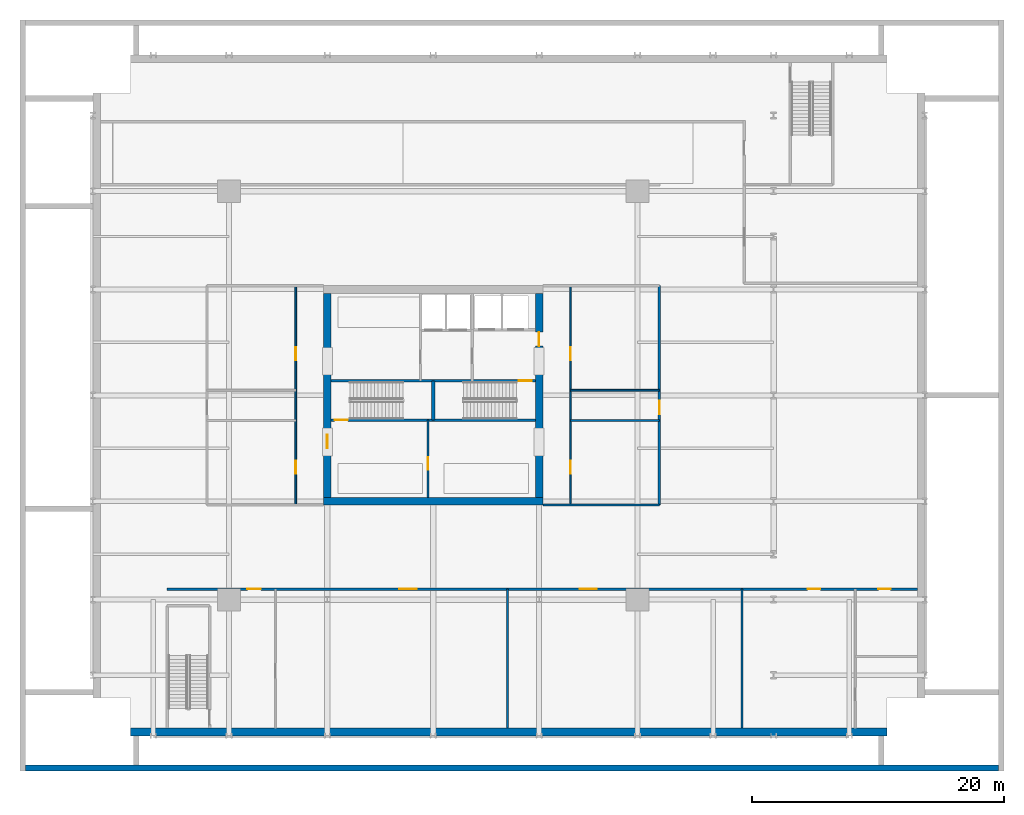
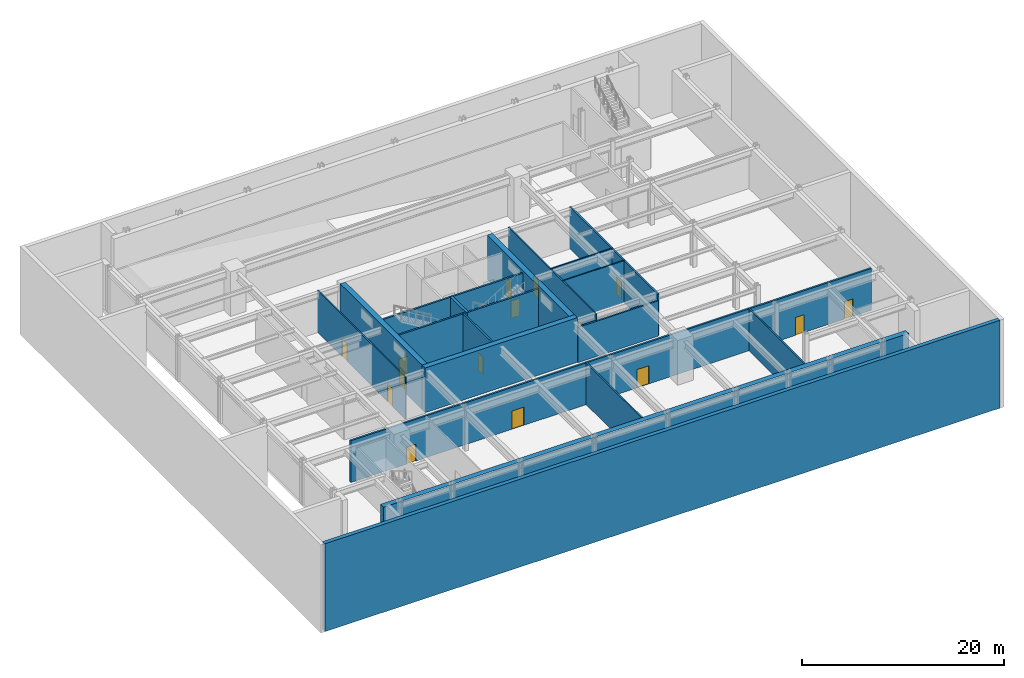
# One storey, part 3 of 9: 20 walls, 15 doors, 15 openings.
"""IFC4 building model written with IfcOpenShell, lengths in metres."""

from ifc_helpers import new_model, si_unit, direction, frame, frame_2d, origin, place, context, subcontext, project, spatial, rectangle, extrude, material, layer, layer_set, type_object, element, fill, save


model = new_model("IFC4")

# Units and contexts
model_context = context("Model", 3, precision=1e-05, world=origin(), true_north=direction((0.0, 1.0)))
body_context = subcontext(model_context, "Body", "Model", "MODEL_VIEW")
ifc_project = project(units=[si_unit("LENGTHUNIT", "METRE"), si_unit("AREAUNIT", "SQUARE_METRE"), si_unit("VOLUMEUNIT", "CUBIC_METRE"), si_unit("PLANEANGLEUNIT", "RADIAN"), si_unit("MASSUNIT", "GRAM", prefix="KILO")], contexts=[model_context])

# Site, building, storey
site_placement = place(None, origin())
site = spatial("IfcSite", under=ifc_project, at=site_placement, CompositionType="ELEMENT")
building_placement = place(site_placement, origin())
building = spatial("IfcBuilding", under=site, at=building_placement, Name="Drelvath Grand Hotel", CompositionType="ELEMENT")
storey_placement = place(building_placement, frame((0.0, 0.0, -5.39990234375)))
storey = spatial("IfcBuildingStorey", under=building, at=storey_placement, Name="B1", CompositionType="ELEMENT", Elevation=-5.39990234375)

# Walls
ifc_material_1 = material(Name="Concrete f'c 55 MPa", Category="concrete")
ifc_layer_1 = layer(ifc_material_1, 0.60009765625)
ifc_layer_set_1 = layer_set([ifc_layer_1], Name="Concrete f'c 55 MPa")
wall_type_1 = type_object("IfcWallType", Name="Basement Perimeter Retaining Wall 600", PredefinedType="USERDEFINED", material=ifc_layer_set_1)
wall_1_placement = place(storey_placement, frame((36.0, 0.300048828125, 0.0), z_axis=(0.0, 0.0, 1.0), x_axis=(-1.0, 0.0, 0.0)))
element("IfcWall", 1, at=wall_1_placement, inside=storey, type_object=wall_type_1, Name="B1 Perimeter Retaining Wall S", ObjectType="RETAININGWALL", PredefinedType="USERDEFINED", context=body_context, shape_type="SweptSolid", body=[
    extrude(rectangle(XDim=60.0, YDim=0.60009765625, at=frame_2d((30.0, 0.0))), origin(), (0.0, 0.0, 1.0), 5.0498046875),
])
wall_2_placement = place(storey_placement, frame((-32.324951171875, -2.550048828125, -5.400146484375), z_axis=(0.0, 0.0, 1.0), x_axis=(1.0, 0.0, 0.0)))
element("IfcWall", 2, at=wall_2_placement, inside=storey, type_object=wall_type_1, Name="Sidewalk Frost Retaining Wall CURB-S-OUT", ObjectType="RETAININGWALL", PredefinedType="USERDEFINED", context=body_context, shape_type="SweptSolid", body=[
    extrude(rectangle(XDim=77.14990234375, YDim=0.449951171875, at=frame_2d((38.574951171875, 0.0))), origin(), (0.0, 0.0, 1.0), 10.6201171875),
])

# Wall, opening, door
ifc_material_2 = material(Name="Concrete C40/50", Category="concrete")
ifc_layer_2 = layer(ifc_material_2, 0.199951171875)
ifc_layer_set_2 = layer_set([ifc_layer_2], Name="Concrete C40/50")
wall_type_2 = type_object("IfcWallType", Name="Core Shaft Fire Wall 200", PredefinedType="SOLIDWALL", material=ifc_layer_set_2)
wall_3_placement = place(storey_placement, frame((-8.10009765625, 25.0400390625, 0.0), z_axis=(0.0, 0.0, 1.0), x_axis=(1.0, 0.0, 0.0)))
wall_3 = element("IfcWall", 3, at=wall_3_placement, inside=storey, type_object=wall_type_2, Name="B1 Stair ST-1 South Wall", PredefinedType="SOLIDWALL", context=body_context, shape_type="SweptSolid", body=[
    extrude(rectangle(XDim=8.10009765625, YDim=0.199951171875, at=frame_2d((4.050048828125, 0.0))), origin(), (0.0, 0.0, 1.0), 5.0498046875),
])
opening_1_placement = place(wall_3_placement, frame((0.280029296875, 0.0, 0.0)))
opening_1 = element("IfcOpeningElement", 4, at=opening_1_placement, cuts=wall_3, Name="Opening D-B1-001", PredefinedType="OPENING", context=body_context, shape_type="SweptSolid", body=[
    extrude(rectangle(XDim=1.050048828125, YDim=2.10009765625, at=frame_2d((0.52490234375, 1.050048828125))), frame((0.0, 0.10986328125, 0.0), z_axis=(0.0, -1.0, 0.0), x_axis=(1.0, 0.0, 0.0)), (0.0, 0.0, 1.0), 0.219970703125),
])
ifc_material_3 = material(Name="Painted Steel S275", Category="steel")
door_type_1 = type_object("IfcDoorType", Name="Tower Stairwell Fire Door 1050x2100", OperationType="NOTDEFINED", PredefinedType="DOOR", material=ifc_material_3)
door_1_placement = place(opening_1_placement, origin())
door_1 = element("IfcDoor", 5, at=door_1_placement, inside=storey, type_object=door_type_1, Name="B1 Exit Stair ST-1 Door", OperationType="SINGLE_SWING_LEFT", OverallHeight=2.10009765625, OverallWidth=1.050048828125, PredefinedType="DOOR", context=body_context, shape_type="SweptSolid", body=[
    extrude(rectangle(XDim=1.050048828125, YDim=2.10009765625, at=frame_2d((0.52490234375, 1.050048828125))), frame((0.0, 0.02490234375, 0.0), z_axis=(0.0, -1.0, 0.0), x_axis=(1.0, 0.0, 0.0)), (0.0, 0.0, 1.0), 0.050048828125),
])
fill(opening_1, door_1)

# Walls
for number, where, z_axis, x_axis, name in (
    (6, (-8.10009765625, 28.159912109375, 0.0), (0.0, 0.0, 1.0), (1.0, 0.0, 0.0), "B1 Stair ST-1 North Wall"),
    (7, (0.0, 25.0400390625, 0.0), (0.0, 0.0, 1.0), (1.0, 0.0, 0.0), "B1 Stair ST-2 South Wall"),
):
    element("IfcWall", number, at=place(storey_placement, frame(where, z_axis=z_axis, x_axis=x_axis)), inside=storey, type_object=wall_type_2, Name=name, PredefinedType="SOLIDWALL", context=body_context, shape_type="SweptSolid", body=[
        extrude(rectangle(XDim=8.10009765625, YDim=0.199951171875, at=frame_2d((4.050048828125, 0.0))), origin(), (0.0, 0.0, 1.0), 5.0498046875),
    ])

# Wall, opening, door
wall_4_placement = place(storey_placement, frame((8.10009765625, 28.159912109375, 0.0), z_axis=(0.0, 0.0, 1.0), x_axis=(-1.0, 0.0, 0.0)))
wall_4 = element("IfcWall", 8, at=wall_4_placement, inside=storey, type_object=wall_type_2, Name="B1 Stair ST-2 North Wall", PredefinedType="SOLIDWALL", context=body_context, shape_type="SweptSolid", body=[
    extrude(rectangle(XDim=8.10009765625, YDim=0.199951171875, at=frame_2d((4.050048828125, 0.0))), origin(), (0.0, 0.0, 1.0), 5.0498046875),
])
opening_2_placement = place(wall_4_placement, frame((0.280029296875, 0.0, 0.0)))
opening_2 = element("IfcOpeningElement", 9, at=opening_2_placement, cuts=wall_4, Name="Opening D-B1-002", PredefinedType="OPENING", context=body_context, shape_type="SweptSolid", body=[
    extrude(rectangle(XDim=1.050048828125, YDim=2.10009765625, at=frame_2d((0.52490234375, 1.050048828125))), frame((0.0, 0.10986328125, 0.0), z_axis=(0.0, -1.0, 0.0), x_axis=(1.0, 0.0, 0.0)), (0.0, 0.0, 1.0), 0.219970703125),
])
door_2_placement = place(opening_2_placement, origin())
door_2 = element("IfcDoor", 10, at=door_2_placement, inside=storey, type_object=door_type_1, Name="B1 Exit Stair ST-2 Door", OperationType="SINGLE_SWING_LEFT", OverallHeight=2.10009765625, OverallWidth=1.050048828125, PredefinedType="DOOR", context=body_context, shape_type="SweptSolid", body=[
    extrude(rectangle(XDim=1.050048828125, YDim=2.10009765625, at=frame_2d((0.52490234375, 1.050048828125))), frame((0.0, 0.02490234375, 0.0), z_axis=(0.0, -1.0, 0.0), x_axis=(1.0, 0.0, 0.0)), (0.0, 0.0, 1.0), 0.050048828125),
])
fill(opening_2, door_2)

# Wall, openings, doors
wall_5_placement = place(storey_placement, frame((-21.10009765625, 11.639892578125, 0.0), z_axis=(0.0, 0.0, 1.0), x_axis=(1.0, 0.0, 0.0)))
wall_5 = element("IfcWall", 11, at=wall_5_placement, inside=storey, type_object=wall_type_2, Name="B1 B1 South BOH Separation Wall", PredefinedType="SOLIDWALL", context=body_context, shape_type="SweptSolid", body=[
    extrude(rectangle(XDim=59.5, YDim=0.199951171875, at=frame_2d((29.75, 0.0))), origin(), (0.0, 0.0, 1.0), 5.0498046875),
])
opening_3_placement = place(wall_5_placement, frame((6.360107421875, 0.0, 0.0)))
opening_3 = element("IfcOpeningElement", 12, at=opening_3_placement, cuts=wall_5, Name="Opening D-B1-020", PredefinedType="OPENING", context=body_context, shape_type="SweptSolid", body=[
    extrude(rectangle(XDim=1.080078125, YDim=2.0400390625, at=frame_2d((0.5400390625, 1.02001953125))), frame((0.0, 0.10986328125, 0.0), z_axis=(0.0, -1.0, 0.0), x_axis=(1.0, 0.0, 0.0)), (0.0, 0.0, 1.0), 0.219970703125),
])
opening_4_placement = place(wall_5_placement, frame((18.419921875, 0.0, 0.0)))
opening_4 = element("IfcOpeningElement", 13, at=opening_4_placement, cuts=wall_5, Name="Opening D-B1-021", PredefinedType="OPENING", context=body_context, shape_type="SweptSolid", body=[
    extrude(rectangle(XDim=1.360107421875, YDim=2.199951171875, at=frame_2d((0.68017578125, 1.10009765625))), frame((0.0, 0.10986328125, 0.0), z_axis=(0.0, -1.0, 0.0), x_axis=(1.0, 0.0, 0.0)), (0.0, 0.0, 1.0), 0.219970703125),
])
opening_5_placement = place(wall_5_placement, frame((32.719970703125, 0.0, 0.0)))
opening_5 = element("IfcOpeningElement", 14, at=opening_5_placement, cuts=wall_5, Name="Opening D-B1-022", PredefinedType="OPENING", context=body_context, shape_type="SweptSolid", body=[
    extrude(rectangle(XDim=1.360107421875, YDim=2.199951171875, at=frame_2d((0.68017578125, 1.10009765625))), frame((0.0, 0.10986328125, 0.0), z_axis=(0.0, -1.0, 0.0), x_axis=(1.0, 0.0, 0.0)), (0.0, 0.0, 1.0), 0.219970703125),
])
opening_6_placement = place(wall_5_placement, frame((50.7900390625, 0.0, 0.0)))
opening_6 = element("IfcOpeningElement", 15, at=opening_6_placement, cuts=wall_5, Name="Opening D-B1-023", PredefinedType="OPENING", context=body_context, shape_type="SweptSolid", body=[
    extrude(rectangle(XDim=1.02001953125, YDim=2.14990234375, at=frame_2d((0.510009765625, 1.074951171875))), frame((0.0, 0.10986328125, 0.0), z_axis=(0.0, -1.0, 0.0), x_axis=(1.0, 0.0, 0.0)), (0.0, 0.0, 1.0), 0.219970703125),
])
opening_7_placement = place(wall_5_placement, frame((56.409912109375, 0.0, 0.0)))
opening_7 = element("IfcOpeningElement", 16, at=opening_7_placement, cuts=wall_5, Name="Opening D-B1-024", PredefinedType="OPENING", context=body_context, shape_type="SweptSolid", body=[
    extrude(rectangle(XDim=0.97998046875, YDim=2.10009765625, at=frame_2d((0.489990234375, 1.050048828125))), frame((0.0, 0.10986328125, 0.0), z_axis=(0.0, -1.0, 0.0), x_axis=(1.0, 0.0, 0.0)), (0.0, 0.0, 1.0), 0.219970703125),
])
ifc_material_4 = material(Name="Hardwood Walnut Timber", Category="wood")
door_type_2 = type_object("IfcDoorType", Name="Accessible WC Door 980x2100", OperationType="NOTDEFINED", PredefinedType="DOOR", material=ifc_material_4)
door_3_placement = place(opening_7_placement, origin())
door_3 = element("IfcDoor", 17, at=door_3_placement, inside=storey, type_object=door_type_2, Name="B1 B1 Accessible WC Door", OperationType="SINGLE_SWING_RIGHT", OverallHeight=2.10009765625, OverallWidth=0.97998046875, PredefinedType="DOOR", context=body_context, shape_type="SweptSolid", body=[
    extrude(rectangle(XDim=0.97998046875, YDim=2.10009765625, at=frame_2d((0.489990234375, 1.050048828125))), frame((0.0, 0.02490234375, 0.0), z_axis=(0.0, -1.0, 0.0), x_axis=(1.0, 0.0, 0.0)), (0.0, 0.0, 1.0), 0.050048828125),
])
fill(opening_7, door_3)
door_type_3 = type_object("IfcDoorType", Name="Amenity Meeting Fire Door 1020x2150", OperationType="NOTDEFINED", PredefinedType="DOOR", material=ifc_material_4)
door_4_placement = place(opening_6_placement, origin())
door_4 = element("IfcDoor", 18, at=door_4_placement, inside=storey, type_object=door_type_3, Name="B1 Staff Locker Door", OperationType="SINGLE_SWING_LEFT", OverallHeight=2.14990234375, OverallWidth=1.02001953125, PredefinedType="DOOR", context=body_context, shape_type="SweptSolid", body=[
    extrude(rectangle(XDim=1.02001953125, YDim=2.14990234375, at=frame_2d((0.510009765625, 1.074951171875))), frame((0.0, 0.02490234375, 0.0), z_axis=(0.0, -1.0, 0.0), x_axis=(1.0, 0.0, 0.0)), (0.0, 0.0, 1.0), 0.050048828125),
])
fill(opening_6, door_4)
door_type_4 = type_object("IfcDoorType", Name="Core Corridor Fire Door 1080x2100", OperationType="NOTDEFINED", PredefinedType="DOOR", material=ifc_material_3)
door_5_placement = place(opening_3_placement, origin())
door_5 = element("IfcDoor", 19, at=door_5_placement, inside=storey, type_object=door_type_4, Name="B1 ST-3 Lobby Loop Door", OperationType="SINGLE_SWING_RIGHT", OverallHeight=2.0400390625, OverallWidth=1.080078125, PredefinedType="DOOR", context=body_context, shape_type="SweptSolid", body=[
    extrude(rectangle(XDim=1.080078125, YDim=2.0400390625, at=frame_2d((0.5400390625, 1.02001953125))), frame((0.0, 0.02490234375, 0.0), z_axis=(0.0, -1.0, 0.0), x_axis=(1.0, 0.0, 0.0)), (0.0, 0.0, 1.0), 0.050048828125),
])
fill(opening_3, door_5)
door_type_5 = type_object("IfcDoorType", Name="Plant Equipment Double Fire Door 1360x2200", OperationType="NOTDEFINED", PredefinedType="DOOR", material=ifc_material_3)
door_6_placement = place(opening_4_placement, origin())
door_6 = element("IfcDoor", 20, at=door_6_placement, inside=storey, type_object=door_type_5, Name="B1 Commissary Kitchen Door", OperationType="SINGLE_SWING_LEFT", OverallHeight=2.199951171875, OverallWidth=1.360107421875, PredefinedType="DOOR", context=body_context, shape_type="SweptSolid", body=[
    extrude(rectangle(XDim=1.360107421875, YDim=2.199951171875, at=frame_2d((0.68017578125, 1.10009765625))), frame((0.0, 0.02490234375, 0.0), z_axis=(0.0, -1.0, 0.0), x_axis=(1.0, 0.0, 0.0)), (0.0, 0.0, 1.0), 0.050048828125),
])
fill(opening_4, door_6)
door_7_placement = place(opening_5_placement, origin())
door_7 = element("IfcDoor", 21, at=door_7_placement, inside=storey, type_object=door_type_5, Name="B1 Commercial Laundry Door", OperationType="SINGLE_SWING_RIGHT", OverallHeight=2.199951171875, OverallWidth=1.360107421875, PredefinedType="DOOR", context=body_context, shape_type="SweptSolid", body=[
    extrude(rectangle(XDim=1.360107421875, YDim=2.199951171875, at=frame_2d((0.68017578125, 1.10009765625))), frame((0.0, 0.02490234375, 0.0), z_axis=(0.0, -1.0, 0.0), x_axis=(1.0, 0.0, 0.0)), (0.0, 0.0, 1.0), 0.050048828125),
])
fill(opening_5, door_7)

# Wall
ifc_layer_3 = layer(ifc_material_2, 0.300048828125)
ifc_layer_set_3 = layer_set([ifc_layer_3], Name="Concrete C40/50")
wall_type_3 = type_object("IfcWallType", Name="Core Shaft Fire Wall 300", PredefinedType="SOLIDWALL", material=ifc_layer_set_3)
wall_6_placement = place(storey_placement, frame((0.0, 25.0400390625, 0.0), z_axis=(0.0, 0.0, 1.0), x_axis=(0.0, 1.0, 0.0)))
element("IfcWall", 22, at=wall_6_placement, inside=storey, type_object=wall_type_3, Name="B1 Core Stair Divider Wall", PredefinedType="SOLIDWALL", context=body_context, shape_type="SweptSolid", body=[
    extrude(rectangle(XDim=3.119873046875, YDim=0.300048828125, at=frame_2d((1.56005859375, 0.0))), origin(), (0.0, 0.0, 1.0), 5.0498046875),
])

# Wall, openings, doors
ifc_material_5 = material(Name="Gypsum Fireboard Partition")
ifc_layer_4 = layer(ifc_material_5, 0.135009765625)
ifc_layer_set_4 = layer_set([ifc_layer_4], Name="Gypsum Fireboard Partition")
wall_type_4 = type_object("IfcWallType", Name="Corridor Fire Barrier Wall 135", PredefinedType="PARTITIONING", material=ifc_layer_set_4)
wall_7_placement = place(storey_placement, frame((-10.89990234375, 18.300048828125, 0.0), z_axis=(0.0, 0.0, 1.0), x_axis=(0.0, 1.0, 0.0)))
wall_7 = element("IfcWall", 23, at=wall_7_placement, inside=storey, type_object=wall_type_4, Name="B1 B1 West Inner Corridor Wall", PredefinedType="PARTITIONING", context=body_context, shape_type="SweptSolid", body=[
    extrude(rectangle(XDim=17.39990234375, YDim=0.135009765625, at=frame_2d((8.699951171875, 0.0))), origin(), (0.0, 0.0, 1.0), 5.0498046875),
])
opening_8_placement = place(wall_7_placement, frame((2.5, 0.0, 0.0)))
opening_8 = element("IfcOpeningElement", 24, at=opening_8_placement, cuts=wall_7, Name="Opening D-B1-016", PredefinedType="OPENING", context=body_context, shape_type="SweptSolid", body=[
    extrude(rectangle(XDim=1.02001953125, YDim=2.14990234375, at=frame_2d((0.510009765625, 1.074951171875))), frame((0.0, 0.077392578125, 0.0), z_axis=(0.0, -1.0, 0.0), x_axis=(1.0, 0.0, 0.0)), (0.0, 0.0, 1.0), 0.155029296875),
])
opening_9_placement = place(wall_7_placement, frame((11.5, 0.0, 0.0)))
opening_9 = element("IfcOpeningElement", 25, at=opening_9_placement, cuts=wall_7, Name="Opening D-B1-017", PredefinedType="OPENING", context=body_context, shape_type="SweptSolid", body=[
    extrude(rectangle(XDim=1.02001953125, YDim=2.14990234375, at=frame_2d((0.510009765625, 1.074951171875))), frame((0.0, 0.077392578125, 0.0), z_axis=(0.0, -1.0, 0.0), x_axis=(1.0, 0.0, 0.0)), (0.0, 0.0, 1.0), 0.155029296875),
])
door_8_placement = place(opening_8_placement, origin())
door_8 = element("IfcDoor", 26, at=door_8_placement, inside=storey, type_object=door_type_3, Name="B1 Security Office Door", OperationType="SINGLE_SWING_RIGHT", OverallHeight=2.14990234375, OverallWidth=1.02001953125, PredefinedType="DOOR", context=body_context, shape_type="SweptSolid", body=[
    extrude(rectangle(XDim=1.02001953125, YDim=2.14990234375, at=frame_2d((0.510009765625, 1.074951171875))), frame((0.0, 0.02490234375, 0.0), z_axis=(0.0, -1.0, 0.0), x_axis=(1.0, 0.0, 0.0)), (0.0, 0.0, 1.0), 0.050048828125),
])
fill(opening_8, door_8)
door_9_placement = place(opening_9_placement, origin())
door_9 = element("IfcDoor", 27, at=door_9_placement, inside=storey, type_object=door_type_3, Name="B1 Uniform Issue Door", OperationType="SINGLE_SWING_LEFT", OverallHeight=2.14990234375, OverallWidth=1.02001953125, PredefinedType="DOOR", context=body_context, shape_type="SweptSolid", body=[
    extrude(rectangle(XDim=1.02001953125, YDim=2.14990234375, at=frame_2d((0.510009765625, 1.074951171875))), frame((0.0, 0.02490234375, 0.0), z_axis=(0.0, -1.0, 0.0), x_axis=(1.0, 0.0, 0.0)), (0.0, 0.0, 1.0), 0.050048828125),
])
fill(opening_9, door_9)

wall_8_placement = place(storey_placement, frame((10.89990234375, 18.300048828125, 0.0), z_axis=(0.0, 0.0, 1.0), x_axis=(0.0, 1.0, 0.0)))
wall_8 = element("IfcWall", 28, at=wall_8_placement, inside=storey, type_object=wall_type_4, Name="B1 B1 East Inner Corridor Wall", PredefinedType="PARTITIONING", context=body_context, shape_type="SweptSolid", body=[
    extrude(rectangle(XDim=17.39990234375, YDim=0.135009765625, at=frame_2d((8.699951171875, 0.0))), origin(), (0.0, 0.0, 1.0), 5.0498046875),
])
opening_10_placement = place(wall_8_placement, frame((2.5, 0.0, 0.0)))
opening_10 = element("IfcOpeningElement", 29, at=opening_10_placement, cuts=wall_8, Name="Opening D-B1-018", PredefinedType="OPENING", context=body_context, shape_type="SweptSolid", body=[
    extrude(rectangle(XDim=1.02001953125, YDim=2.14990234375, at=frame_2d((0.510009765625, 1.074951171875))), frame((0.0, 0.077392578125, 0.0), z_axis=(0.0, -1.0, 0.0), x_axis=(1.0, 0.0, 0.0)), (0.0, 0.0, 1.0), 0.155029296875),
])
opening_11_placement = place(wall_8_placement, frame((11.5, 0.0, 0.0)))
opening_11 = element("IfcOpeningElement", 30, at=opening_11_placement, cuts=wall_8, Name="Opening D-B1-019", PredefinedType="OPENING", context=body_context, shape_type="SweptSolid", body=[
    extrude(rectangle(XDim=1.02001953125, YDim=2.14990234375, at=frame_2d((0.510009765625, 1.074951171875))), frame((0.0, 0.077392578125, 0.0), z_axis=(0.0, -1.0, 0.0), x_axis=(1.0, 0.0, 0.0)), (0.0, 0.0, 1.0), 0.155029296875),
])
door_10_placement = place(opening_10_placement, origin())
door_10 = element("IfcDoor", 31, at=door_10_placement, inside=storey, type_object=door_type_3, Name="B1 Purchasing Office Door", OperationType="SINGLE_SWING_RIGHT", OverallHeight=2.14990234375, OverallWidth=1.02001953125, PredefinedType="DOOR", context=body_context, shape_type="SweptSolid", body=[
    extrude(rectangle(XDim=1.02001953125, YDim=2.14990234375, at=frame_2d((0.510009765625, 1.074951171875))), frame((0.0, 0.02490234375, 0.0), z_axis=(0.0, -1.0, 0.0), x_axis=(1.0, 0.0, 0.0)), (0.0, 0.0, 1.0), 0.050048828125),
])
fill(opening_10, door_10)
door_11_placement = place(opening_11_placement, origin())
door_11 = element("IfcDoor", 32, at=door_11_placement, inside=storey, type_object=door_type_3, Name="B1 Food Storage Door", OperationType="SINGLE_SWING_LEFT", OverallHeight=2.14990234375, OverallWidth=1.02001953125, PredefinedType="DOOR", context=body_context, shape_type="SweptSolid", body=[
    extrude(rectangle(XDim=1.02001953125, YDim=2.14990234375, at=frame_2d((0.510009765625, 1.074951171875))), frame((0.0, 0.02490234375, 0.0), z_axis=(0.0, -1.0, 0.0), x_axis=(1.0, 0.0, 0.0)), (0.0, 0.0, 1.0), 0.050048828125),
])
fill(opening_11, door_11)

# Walls
for number, where, z_axis, x_axis, name in (
    (33, (10.89990234375, 25.0, 0.0), (0.0, 0.0, 1.0), (1.0, 0.0, 0.0), "B1 B1 East Cross-Walk South"),
    (34, (10.89990234375, 27.39990234375, 0.0), (0.0, 0.0, 1.0), (1.0, 0.0, 0.0), "B1 B1 East Cross-Walk North"),
):
    element("IfcWall", number, at=place(storey_placement, frame(where, z_axis=z_axis, x_axis=x_axis)), inside=storey, type_object=wall_type_4, Name=name, PredefinedType="PARTITIONING", context=body_context, shape_type="SweptSolid", body=[
        extrude(rectangle(XDim=7.0400390625, YDim=0.135009765625, at=frame_2d((3.52001953125, 0.0))), origin(), (0.0, 0.0, 1.0), 5.0498046875),
    ])

# Wall, opening, door
ifc_layer_5 = layer(ifc_material_5, 0.179931640625)
ifc_layer_set_5 = layer_set([ifc_layer_5], Name="Gypsum Fireboard Partition")
wall_type_5 = type_object("IfcWallType", Name="FSAE Smoke Lobby Fire Wall 180", PredefinedType="SOLIDWALL", material=ifc_layer_set_5)
wall_9_placement = place(storey_placement, frame((-0.419921875, 18.89990234375, 0.0), z_axis=(0.0, 0.0, 1.0), x_axis=(0.0, 1.0, 0.0)))
wall_9 = element("IfcWall", 35, at=wall_9_placement, inside=storey, type_object=wall_type_5, Name="B1 Basement Core Split Wall", PredefinedType="SOLIDWALL", context=body_context, shape_type="SweptSolid", body=[
    extrude(rectangle(XDim=6.14013671875, YDim=0.179931640625, at=frame_2d((3.070068359375, 0.0))), origin(), (0.0, 0.0, 1.0), 5.0498046875),
])
opening_12_placement = place(wall_9_placement, frame((2.199951171875, 0.0, 0.0)))
opening_12 = element("IfcOpeningElement", 36, at=opening_12_placement, cuts=wall_9, Name="Opening D-B1-010", PredefinedType="OPENING", context=body_context, shape_type="SweptSolid", body=[
    extrude(rectangle(XDim=1.0, YDim=2.10009765625, at=frame_2d((0.5, 1.050048828125))), frame((0.0, 0.099853515625, 0.0), z_axis=(0.0, -1.0, 0.0), x_axis=(1.0, 0.0, 0.0)), (0.0, 0.0, 1.0), 0.199951171875),
])
door_type_6 = type_object("IfcDoorType", Name="Core Service Fire Door 1000x2100", OperationType="NOTDEFINED", PredefinedType="DOOR", material=ifc_material_3)
door_12_placement = place(opening_12_placement, origin())
door_12 = element("IfcDoor", 37, at=door_12_placement, inside=storey, type_object=door_type_6, Name="B1 Core Pump Room Door", OperationType="SINGLE_SWING_RIGHT", OverallHeight=2.10009765625, OverallWidth=1.0, PredefinedType="DOOR", context=body_context, shape_type="SweptSolid", body=[
    extrude(rectangle(XDim=1.0, YDim=2.10009765625, at=frame_2d((0.5, 1.050048828125))), frame((0.0, 0.02490234375, 0.0), z_axis=(0.0, -1.0, 0.0), x_axis=(1.0, 0.0, 0.0)), (0.0, 0.0, 1.0), 0.050048828125),
])
fill(opening_12, door_12)

wall_10_placement = place(storey_placement, frame((17.93994140625, 18.300048828125, 0.0), z_axis=(0.0, 0.0, 1.0), x_axis=(0.0, 1.0, 0.0)))
wall_10 = element("IfcWall", 38, at=wall_10_placement, inside=storey, type_object=wall_type_5, Name="B1 B1 East Island Fire Wall", PredefinedType="SOLIDWALL", context=body_context, shape_type="SweptSolid", body=[
    extrude(rectangle(XDim=17.39990234375, YDim=0.179931640625, at=frame_2d((8.699951171875, 0.0))), origin(), (0.0, 0.0, 1.0), 5.0498046875),
])
opening_13_placement = place(wall_10_placement, frame((7.199951171875, 0.0, 0.0)))
opening_13 = element("IfcOpeningElement", 39, at=opening_13_placement, cuts=wall_10, Name="Opening D-B1-015", PredefinedType="OPENING", context=body_context, shape_type="SweptSolid", body=[
    extrude(rectangle(XDim=1.080078125, YDim=2.0400390625, at=frame_2d((0.5400390625, 1.02001953125))), frame((0.0, 0.099853515625, 0.0), z_axis=(0.0, -1.0, 0.0), x_axis=(1.0, 0.0, 0.0)), (0.0, 0.0, 1.0), 0.199951171875),
])
door_13_placement = place(opening_13_placement, origin())
door_13 = element("IfcDoor", 40, at=door_13_placement, inside=storey, type_object=door_type_4, Name="B1 East Loop Pedestrian Door", OperationType="SINGLE_SWING_LEFT", OverallHeight=2.0400390625, OverallWidth=1.080078125, PredefinedType="DOOR", context=body_context, shape_type="SweptSolid", body=[
    extrude(rectangle(XDim=1.080078125, YDim=2.0400390625, at=frame_2d((0.5400390625, 1.02001953125))), frame((0.0, 0.02490234375, 0.0), z_axis=(0.0, -1.0, 0.0), x_axis=(1.0, 0.0, 0.0)), (0.0, 0.0, 1.0), 0.050048828125),
])
fill(opening_13, door_13)

# Wall
wall_11_placement = place(storey_placement, frame((8.699951171875, 18.300048828125, 0.0), z_axis=(0.0, 0.0, 1.0), x_axis=(1.0, 0.0, 0.0)))
element("IfcWall", 41, at=wall_11_placement, inside=storey, type_object=wall_type_5, Name="B1 B1 South-East Island Fire Wall", PredefinedType="SOLIDWALL", context=body_context, shape_type="SweptSolid", body=[
    extrude(rectangle(XDim=9.239990234375, YDim=0.179931640625, at=frame_2d((4.6201171875, 0.0))), origin(), (0.0, 0.0, 1.0), 4.26171875),
])

# Wall, opening, door
ifc_material_6 = material(Name="Concrete f'c 70 MPa", Category="concrete")
ifc_layer_6 = layer(ifc_material_6, 0.60009765625)
ifc_layer_set_6 = layer_set([ifc_layer_6], Name="Concrete f'c 70 MPa")
wall_type_6 = type_object("IfcWallType", Name="Lower Core RC Shear Wall 600", PredefinedType="SHEAR", material=ifc_layer_set_6)
wall_12_placement = place(storey_placement, frame((8.39990234375, 35.10009765625, 0.0), z_axis=(0.0, 0.0, 1.0), x_axis=(0.0, -1.0, 0.0)))
wall_12 = element("IfcWall", 42, at=wall_12_placement, inside=storey, type_object=wall_type_6, Name="B1 Central Core Shear Wall E", PredefinedType="SHEAR", context=body_context, shape_type="SweptSolid", body=[
    extrude(rectangle(XDim=16.2001953125, YDim=0.60009765625, at=frame_2d((8.10009765625, 0.0))), origin(), (0.0, 0.0, 1.0), 5.39990234375),
])
opening_14_placement = place(wall_12_placement, frame((3.080078125, 0.0, 0.0)))
opening_14 = element("IfcOpeningElement", 43, at=opening_14_placement, cuts=wall_12, Name="Opening D-B1-006", PredefinedType="OPENING", context=body_context, shape_type="SweptSolid", body=[
    extrude(rectangle(XDim=1.1201171875, YDim=2.10009765625, at=frame_2d((0.56005859375, 1.050048828125))), frame((0.0, 0.31005859375, 0.0), z_axis=(0.0, -1.0, 0.0), x_axis=(1.0, 0.0, 0.0)), (0.0, 0.0, 1.0), 0.6201171875),
])
door_type_7 = type_object("IfcDoorType", Name="FSAE Smoke Lobby Fire Door 1120x2100", OperationType="NOTDEFINED", PredefinedType="DOOR", material=ifc_material_3)
door_14_placement = place(opening_14_placement, origin())
door_14 = element("IfcDoor", 44, at=door_14_placement, inside=storey, type_object=door_type_7, Name="B1 FSAE Lobby East Corridor Door", OperationType="SINGLE_SWING_LEFT", OverallHeight=2.10009765625, OverallWidth=1.1201171875, PredefinedType="DOOR", context=body_context, shape_type="SweptSolid", body=[
    extrude(rectangle(XDim=1.1201171875, YDim=2.10009765625, at=frame_2d((0.56005859375, 1.050048828125))), frame((0.0, 0.02490234375, 0.0), z_axis=(0.0, -1.0, 0.0), x_axis=(1.0, 0.0, 0.0)), (0.0, 0.0, 1.0), 0.050048828125),
])
fill(opening_14, door_14)

# Wall
wall_13_placement = place(storey_placement, frame((8.699951171875, 18.60009765625, 0.0), z_axis=(0.0, 0.0, 1.0), x_axis=(-1.0, 0.0, 0.0)))
element("IfcWall", 45, at=wall_13_placement, inside=storey, type_object=wall_type_6, Name="B1 Central Core Shear Wall S", PredefinedType="SHEAR", context=body_context, shape_type="SweptSolid", body=[
    extrude(rectangle(XDim=17.39990234375, YDim=0.60009765625, at=frame_2d((8.699951171875, 0.0))), origin(), (0.0, 0.0, 1.0), 5.39990234375),
])

# Wall, opening, door
wall_14_placement = place(storey_placement, frame((-8.39990234375, 18.89990234375, 0.0), z_axis=(0.0, 0.0, 1.0), x_axis=(0.0, 1.0, 0.0)))
wall_14 = element("IfcWall", 46, at=wall_14_placement, inside=storey, type_object=wall_type_6, Name="B1 Central Core Shear Wall W", PredefinedType="SHEAR", context=body_context, shape_type="SweptSolid", body=[
    extrude(rectangle(XDim=16.2001953125, YDim=0.60009765625, at=frame_2d((8.10009765625, 0.0))), origin(), (0.0, 0.0, 1.0), 5.39990234375),
])
opening_15_placement = place(wall_14_placement, frame((3.89990234375, 0.0, 0.0)))
opening_15 = element("IfcOpeningElement", 47, at=opening_15_placement, cuts=wall_14, Name="Opening D-B1-011", PredefinedType="OPENING", context=body_context, shape_type="SweptSolid", body=[
    extrude(rectangle(XDim=1.080078125, YDim=2.0400390625, at=frame_2d((0.5400390625, 1.02001953125))), frame((0.0, 0.31005859375, 0.0), z_axis=(0.0, -1.0, 0.0), x_axis=(1.0, 0.0, 0.0)), (0.0, 0.0, 1.0), 0.6201171875),
])
door_15_placement = place(opening_15_placement, origin())
door_15 = element("IfcDoor", 48, at=door_15_placement, inside=storey, type_object=door_type_4, Name="B1 Basement Core West Door", OperationType="SINGLE_SWING_LEFT", OverallHeight=2.0400390625, OverallWidth=1.080078125, PredefinedType="DOOR", context=body_context, shape_type="SweptSolid", body=[
    extrude(rectangle(XDim=1.080078125, YDim=2.0400390625, at=frame_2d((0.5400390625, 1.02001953125))), frame((0.0, 0.02490234375, 0.0), z_axis=(0.0, -1.0, 0.0), x_axis=(1.0, 0.0, 0.0)), (0.0, 0.0, 1.0), 0.050048828125),
])
fill(opening_15, door_15)

# Walls
ifc_material_7 = material(Name="Gypsum Acoustic Partition")
ifc_layer_7 = layer(ifc_material_7, 0.1650390625)
ifc_layer_set_7 = layer_set([ifc_layer_7], Name="Gypsum Acoustic Partition")
wall_type_7 = type_object("IfcWallType", Name="Suite Demising Wall 165", PredefinedType="PARTITIONING", material=ifc_layer_set_7)
for number, where, z_axis, x_axis, name in (
    (49, (5.8798828125, 0.60009765625, 0.0), (0.0, 0.0, 1.0), (0.0, 1.0, 0.0), "B1 Commissary Laundry Wall"),
    (50, (24.47998046875, 0.60009765625, 0.0), (0.0, 0.0, 1.0), (0.0, 1.0, 0.0), "B1 Laundry Locker Wall"),
):
    element("IfcWall", number, at=place(storey_placement, frame(where, z_axis=z_axis, x_axis=x_axis)), inside=storey, type_object=wall_type_7, Name=name, PredefinedType="PARTITIONING", context=body_context, shape_type="SweptSolid", body=[
        extrude(rectangle(XDim=11.039794921875, YDim=0.1650390625, at=frame_2d((5.52001953125, 0.0))), origin(), (0.0, 0.0, 1.0), 5.0498046875),
    ])

save(model, "model.ifc")
